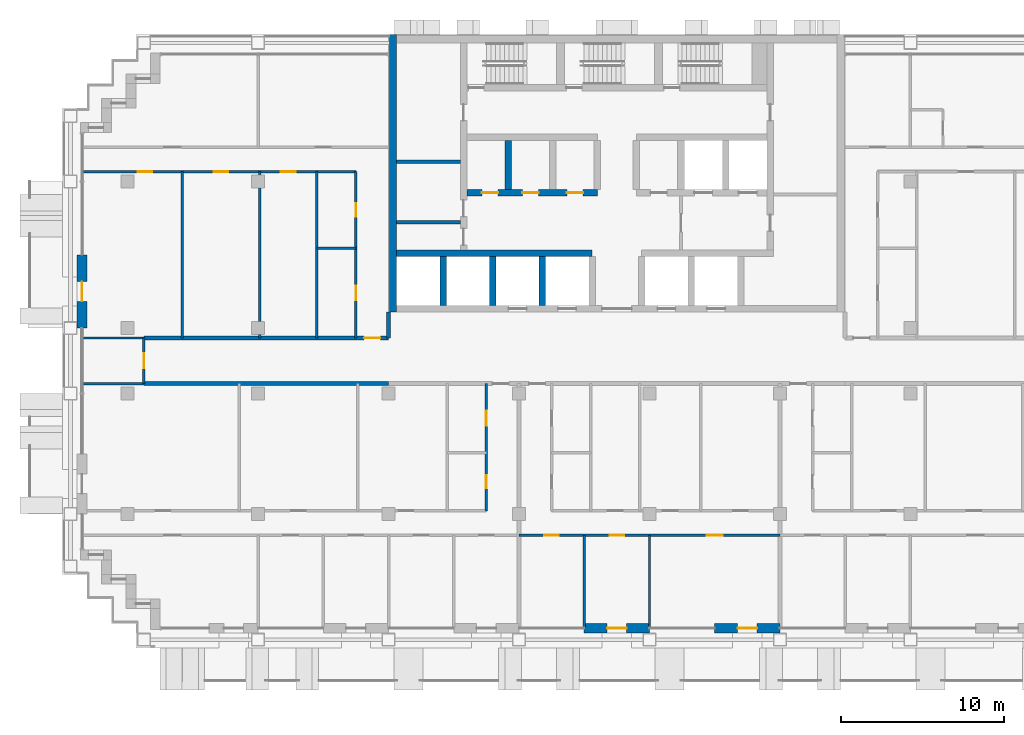
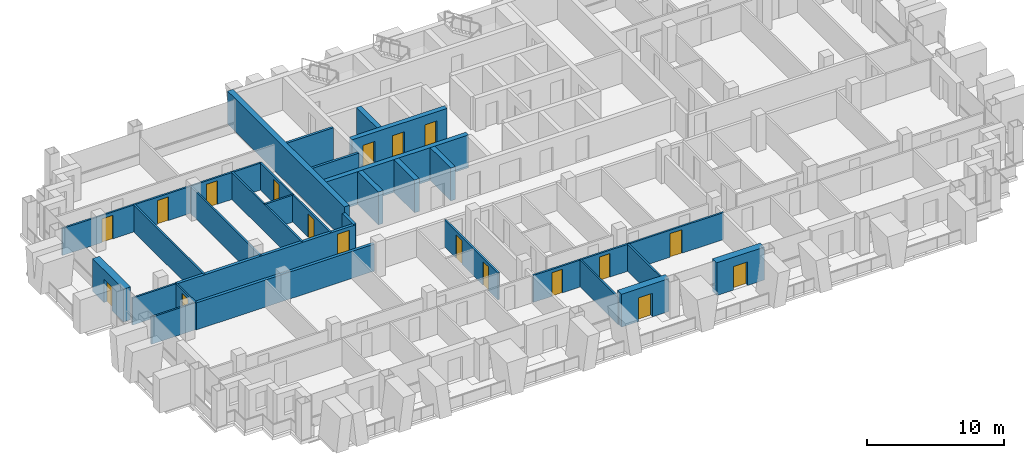
# One storey, part 8 of 16: 28 walls, 18 doors, 18 openings.
"""IFC4 building model written with IfcOpenShell, lengths in metres."""

from ifc_helpers import new_model, si_unit, direction, frame, frame_2d, origin, place, context, subcontext, project, spatial, rectangle, extrude, material, layer, layer_set, type_object, element, fill, save


model = new_model("IFC4")

# Units and contexts
model_context = context("Model", 3, precision=1e-05, world=origin(), true_north=direction((0.0, 1.0)))
body_context = subcontext(model_context, "Body", "Model", "MODEL_VIEW")
ifc_project = project(units=[si_unit("LENGTHUNIT", "METRE"), si_unit("AREAUNIT", "SQUARE_METRE"), si_unit("VOLUMEUNIT", "CUBIC_METRE"), si_unit("PLANEANGLEUNIT", "RADIAN"), si_unit("MASSUNIT", "GRAM", prefix="KILO")], contexts=[model_context])

# Site, building, storey
site_placement = place(None, origin())
site = spatial("IfcSite", under=ifc_project, at=site_placement, CompositionType="ELEMENT")
building_placement = place(site_placement, origin())
building = spatial("IfcBuilding", under=site, at=building_placement, Name="Vidyagriha Tower", CompositionType="ELEMENT")
storey_placement = place(building_placement, frame((0.0, 0.0, 135.800048828125)))
storey = spatial("IfcBuildingStorey", under=building, at=storey_placement, Name="L35", CompositionType="ELEMENT", Elevation=135.800048828125)

# Wall, opening, door
ifc_material_1 = material(Name="Precast concrete C40/50 with brick facing", Category="concrete")
ifc_layer_1 = layer(ifc_material_1, 0.60009765625)
ifc_layer_set_1 = layer_set([ifc_layer_1], Name="Precast concrete C40/50 with brick facing")
wall_type_1 = type_object("IfcWallType", Name="Brick-faced precast wall 600", PredefinedType="STANDARD", material=ifc_layer_set_1)
wall_1_placement = place(storey_placement, frame((-32.800048828125, 6.5, 0.0), z_axis=(0.0, 0.0, 1.0), x_axis=(0.0, -1.0, 0.0)))
wall_1 = element("IfcWall", 1, at=wall_1_placement, inside=storey, type_object=wall_type_1, Name="Brick door bay wall L35 R16.3", PredefinedType="STANDARD", context=body_context, shape_type="SweptSolid", body=[
    extrude(rectangle(XDim=4.5, YDim=0.60009765625, at=frame_2d((2.25, 0.0))), origin(), (0.0, 0.0, 1.0), 2.919921875),
])
opening_1_placement = place(wall_1_placement, frame((1.64990234375, 0.0, 0.0)))
opening_1 = element("IfcOpeningElement", 2, at=opening_1_placement, cuts=wall_1, Name="Opening D35-65", PredefinedType="OPENING", context=body_context, shape_type="SweptSolid", body=[
    extrude(rectangle(XDim=1.199951171875, YDim=2.10009765625, at=frame_2d((0.60009765625, 1.050048828125))), frame((0.0, 0.31005859375, 0.0), z_axis=(0.0, -1.0, 0.0), x_axis=(1.0, 0.0, 0.0)), (0.0, 0.0, 1.0), 0.6201171875),
])
ifc_material_2 = material(Name="Aluminium framed glazed sliding door", Category="aluminium")
door_type_1 = type_object("IfcDoorType", Name="Balcony sliding door 1200x2100", OperationType="NOTDEFINED", PredefinedType="DOOR", material=ifc_material_2)
door_1_placement = place(opening_1_placement, origin())
door_1 = element("IfcDoor", 3, at=door_1_placement, inside=storey, type_object=door_type_1, Name="Door D35-65", OperationType="SLIDING_TO_LEFT", OverallHeight=2.10009765625, OverallWidth=1.199951171875, PredefinedType="DOOR", context=body_context, shape_type="SweptSolid", body=[
    extrude(rectangle(XDim=1.199951171875, YDim=2.10009765625, at=frame_2d((0.60009765625, 1.050048828125))), frame((0.0, 0.02490234375, 0.0), z_axis=(0.0, -1.0, 0.0), x_axis=(1.0, 0.0, 0.0)), (0.0, 0.0, 1.0), 0.050048828125),
])
fill(opening_1, door_1)

wall_2_placement = place(storey_placement, frame((-2.0, -16.39990234375, 0.0)))
wall_2 = element("IfcWall", 4, at=wall_2_placement, inside=storey, type_object=wall_type_1, Name="Brick door bay wall L35 R23.8", PredefinedType="STANDARD", context=body_context, shape_type="SweptSolid", body=[
    extrude(rectangle(XDim=4.0, YDim=0.60009765625, at=frame_2d((2.0, 0.0))), origin(), (0.0, 0.0, 1.0), 2.919921875),
])
opening_2_placement = place(wall_2_placement, frame((1.39990234375, 0.0, 0.0)))
opening_2 = element("IfcOpeningElement", 5, at=opening_2_placement, cuts=wall_2, Name="Opening D35-70", PredefinedType="OPENING", context=body_context, shape_type="SweptSolid", body=[
    extrude(rectangle(XDim=1.199951171875, YDim=2.10009765625, at=frame_2d((0.60009765625, 1.050048828125))), frame((0.0, 0.31005859375, 0.0), z_axis=(0.0, -1.0, 0.0), x_axis=(1.0, 0.0, 0.0)), (0.0, 0.0, 1.0), 0.6201171875),
])
door_2_placement = place(opening_2_placement, origin())
door_2 = element("IfcDoor", 6, at=door_2_placement, inside=storey, type_object=door_type_1, Name="Door D35-70", OperationType="SLIDING_TO_LEFT", OverallHeight=2.10009765625, OverallWidth=1.199951171875, PredefinedType="DOOR", context=body_context, shape_type="SweptSolid", body=[
    extrude(rectangle(XDim=1.199951171875, YDim=2.10009765625, at=frame_2d((0.60009765625, 1.050048828125))), frame((0.0, 0.02490234375, 0.0), z_axis=(0.0, -1.0, 0.0), x_axis=(1.0, 0.0, 0.0)), (0.0, 0.0, 1.0), 0.050048828125),
])
fill(opening_2, door_2)

wall_3_placement = place(storey_placement, frame((6.0, -16.39990234375, 0.0)))
wall_3 = element("IfcWall", 7, at=wall_3_placement, inside=storey, type_object=wall_type_1, Name="Brick door bay wall L35 R23.10", PredefinedType="STANDARD", context=body_context, shape_type="SweptSolid", body=[
    extrude(rectangle(XDim=4.0, YDim=0.60009765625, at=frame_2d((2.0, 0.0))), origin(), (0.0, 0.0, 1.0), 2.919921875),
])
opening_3_placement = place(wall_3_placement, frame((1.39990234375, 0.0, 0.0)))
opening_3 = element("IfcOpeningElement", 8, at=opening_3_placement, cuts=wall_3, Name="Opening D35-71", PredefinedType="OPENING", context=body_context, shape_type="SweptSolid", body=[
    extrude(rectangle(XDim=1.199951171875, YDim=2.10009765625, at=frame_2d((0.60009765625, 1.050048828125))), frame((0.0, 0.31005859375, 0.0), z_axis=(0.0, -1.0, 0.0), x_axis=(1.0, 0.0, 0.0)), (0.0, 0.0, 1.0), 0.6201171875),
])
door_3_placement = place(opening_3_placement, origin())
door_3 = element("IfcDoor", 9, at=door_3_placement, inside=storey, type_object=door_type_1, Name="Door D35-71", OperationType="SLIDING_TO_LEFT", OverallHeight=2.10009765625, OverallWidth=1.199951171875, PredefinedType="DOOR", context=body_context, shape_type="SweptSolid", body=[
    extrude(rectangle(XDim=1.199951171875, YDim=2.10009765625, at=frame_2d((0.60009765625, 1.050048828125))), frame((0.0, 0.02490234375, 0.0), z_axis=(0.0, -1.0, 0.0), x_axis=(1.0, 0.0, 0.0)), (0.0, 0.0, 1.0), 0.050048828125),
])
fill(opening_3, door_3)

# Walls
ifc_material_3 = material(Name="Concrete C60/75", Category="concrete")
ifc_layer_2 = layer(ifc_material_3, 0.39990234375)
ifc_layer_set_2 = layer_set([ifc_layer_2], Name="Concrete C60/75")
wall_type_2 = type_object("IfcWallType", Name="Core shear wall 400 mm", PredefinedType="SHEAR", material=ifc_layer_set_2)
wall_4_placement = place(storey_placement, frame((-13.5, 6.60009765625, 0.0)))
element("IfcWall", 10, at=wall_4_placement, inside=storey, type_object=wall_type_2, Name="Core lobby south wall west", PredefinedType="SHEAR", context=body_context, shape_type="SweptSolid", body=[
    extrude(rectangle(XDim=11.977783203125, YDim=0.39990234375, at=frame_2d((5.98876953125, 0.0))), origin(), (0.0, 0.0, 1.0), 2.919921875),
])
for number, where, z_axis, x_axis, name in (
    (11, (-10.655517578125, 3.39990234375, 0.0), (0.0, 0.0, 1.0), (0.0, 1.0, 0.0), "Core bay wall S1"),
    (12, (-7.611083984375, 3.39990234375, 0.0), (0.0, 0.0, 1.0), (0.0, 1.0, 0.0), "Core bay wall S2"),
    (13, (-4.566650390625, 3.39990234375, 0.0), (0.0, 0.0, 1.0), (0.0, 1.0, 0.0), "Core bay wall S3"),
):
    element("IfcWall", number, at=place(storey_placement, frame(where, z_axis=z_axis, x_axis=x_axis)), inside=storey, type_object=wall_type_2, Name=name, PredefinedType="SHEAR", context=body_context, shape_type="SweptSolid", body=[
        extrude(rectangle(XDim=3.0, YDim=0.39990234375, at=frame_2d((1.5, 0.0))), origin(), (0.0, 0.0, 1.0), 2.919921875),
    ])

# Wall, openings, doors
wall_5_placement = place(storey_placement, frame((-9.199951171875, 10.300048828125, 0.0)))
wall_5 = element("IfcWall", 14, at=wall_5_placement, inside=storey, type_object=wall_type_2, Name="Core row N front wall", PredefinedType="SHEAR", context=body_context, shape_type="SweptSolid", body=[
    extrude(rectangle(XDim=8.0, YDim=0.39990234375, at=frame_2d((4.0, 0.0))), origin(), (0.0, 0.0, 1.0), 2.919921875),
])
opening_4_placement = place(wall_5_placement, frame((0.916748046875, 0.0, 0.0)))
opening_4 = element("IfcOpeningElement", 15, at=opening_4_placement, cuts=wall_5, Name="Opening D35-02", PredefinedType="OPENING", context=body_context, shape_type="SweptSolid", body=[
    extrude(rectangle(XDim=1.0, YDim=2.10009765625, at=frame_2d((0.5, 1.050048828125))), frame((0.0, 0.2099609375, 0.0), z_axis=(0.0, -1.0, 0.0), x_axis=(1.0, 0.0, 0.0)), (0.0, 0.0, 1.0), 0.419921875),
])
opening_5_placement = place(wall_5_placement, frame((3.39990234375, 0.0, 0.0)))
opening_5 = element("IfcOpeningElement", 16, at=opening_5_placement, cuts=wall_5, Name="Opening D35-03", PredefinedType="OPENING", context=body_context, shape_type="SweptSolid", body=[
    extrude(rectangle(XDim=1.0, YDim=2.10009765625, at=frame_2d((0.5, 1.050048828125))), frame((0.0, 0.2099609375, 0.0), z_axis=(0.0, -1.0, 0.0), x_axis=(1.0, 0.0, 0.0)), (0.0, 0.0, 1.0), 0.419921875),
])
opening_6_placement = place(wall_5_placement, frame((6.13330078125, 0.0, 0.0)))
opening_6 = element("IfcOpeningElement", 17, at=opening_6_placement, cuts=wall_5, Name="Opening D35-04", PredefinedType="OPENING", context=body_context, shape_type="SweptSolid", body=[
    extrude(rectangle(XDim=1.0, YDim=2.10009765625, at=frame_2d((0.5, 1.050048828125))), frame((0.0, 0.2099609375, 0.0), z_axis=(0.0, -1.0, 0.0), x_axis=(1.0, 0.0, 0.0)), (0.0, 0.0, 1.0), 0.419921875),
])
ifc_material_4 = material(Name="Hollow metal door leaf")
door_type_2 = type_object("IfcDoorType", Name="Core room door 1000 x 2100 mm EI 60", OperationType="NOTDEFINED", PredefinedType="DOOR", material=ifc_material_4)
door_4_placement = place(opening_4_placement, frame((1.0, 0.0, 0.0), z_axis=(0.0, 0.0, 1.0), x_axis=(-1.0, 0.0, 0.0)))
door_4 = element("IfcDoor", 18, at=door_4_placement, inside=storey, type_object=door_type_2, Name="Door Switchgear Room 35.14", OperationType="SINGLE_SWING_RIGHT", OverallHeight=2.10009765625, OverallWidth=1.0, PredefinedType="DOOR", context=body_context, shape_type="SweptSolid", body=[
    extrude(rectangle(XDim=1.0, YDim=2.10009765625, at=frame_2d((0.5, 1.050048828125))), frame((0.0, 0.02490234375, 0.0), z_axis=(0.0, -1.0, 0.0), x_axis=(1.0, 0.0, 0.0)), (0.0, 0.0, 1.0), 0.050048828125),
])
fill(opening_4, door_4)
door_5_placement = place(opening_5_placement, frame((1.0, 0.0, 0.0), z_axis=(0.0, 0.0, 1.0), x_axis=(-1.0, 0.0, 0.0)))
door_5 = element("IfcDoor", 19, at=door_5_placement, inside=storey, type_object=door_type_2, Name="Door Electrical Room 35.15", OperationType="SINGLE_SWING_RIGHT", OverallHeight=2.10009765625, OverallWidth=1.0, PredefinedType="DOOR", context=body_context, shape_type="SweptSolid", body=[
    extrude(rectangle(XDim=1.0, YDim=2.10009765625, at=frame_2d((0.5, 1.050048828125))), frame((0.0, 0.02490234375, 0.0), z_axis=(0.0, -1.0, 0.0), x_axis=(1.0, 0.0, 0.0)), (0.0, 0.0, 1.0), 0.050048828125),
])
fill(opening_5, door_5)
door_6_placement = place(opening_6_placement, frame((1.0, 0.0, 0.0), z_axis=(0.0, 0.0, 1.0), x_axis=(-1.0, 0.0, 0.0)))
door_6 = element("IfcDoor", 20, at=door_6_placement, inside=storey, type_object=door_type_2, Name="Door Cleaners Store 35.16", OperationType="SINGLE_SWING_LEFT", OverallHeight=2.10009765625, OverallWidth=1.0, PredefinedType="DOOR", context=body_context, shape_type="SweptSolid", body=[
    extrude(rectangle(XDim=1.0, YDim=2.10009765625, at=frame_2d((0.5, 1.050048828125))), frame((0.0, 0.02490234375, 0.0), z_axis=(0.0, -1.0, 0.0), x_axis=(1.0, 0.0, 0.0)), (0.0, 0.0, 1.0), 0.050048828125),
])
fill(opening_6, door_6)

# Walls
wall_6_placement = place(storey_placement, frame((-6.666748046875, 10.5, 0.0), z_axis=(0.0, 0.0, 1.0), x_axis=(0.0, 1.0, 0.0)))
element("IfcWall", 21, at=wall_6_placement, inside=storey, type_object=wall_type_2, Name="Core bay wall N1", PredefinedType="SHEAR", context=body_context, shape_type="SweptSolid", body=[
    extrude(rectangle(XDim=3.0, YDim=0.39990234375, at=frame_2d((1.5, 0.0))), origin(), (0.0, 0.0, 1.0), 2.919921875),
])
ifc_material_5 = material(Name="Concrete C60/75", Category="concrete")
ifc_layer_3 = layer(ifc_material_5, 0.449951171875)
ifc_layer_set_3 = layer_set([ifc_layer_3], Name="Concrete C60/75")
wall_type_3 = type_object("IfcWallType", Name="Core shear wall 450 mm", PredefinedType="SHEAR", material=ifc_layer_set_3)
wall_7_placement = place(storey_placement, frame((-13.72509765625, 3.0, 0.0), z_axis=(0.0, 0.0, 1.0), x_axis=(0.0, 1.0, 0.0)))
element("IfcWall", 22, at=wall_7_placement, inside=storey, type_object=wall_type_3, Name="Core west wall", PredefinedType="SHEAR", context=body_context, shape_type="SweptSolid", body=[
    extrude(rectangle(XDim=17.0, YDim=0.449951171875, at=frame_2d((8.5, 0.0))), origin(), (0.0, 0.0, 1.0), 2.919921875),
])
ifc_material_6 = material(Name="Fired clay brick masonry", Category="masonry")
ifc_layer_4 = layer(ifc_material_6, 0.25)
ifc_layer_set_4 = layer_set([ifc_layer_4], Name="Fired clay brick masonry")
wall_type_4 = type_object("IfcWallType", Name="Fired clay brick corridor wall 250", PredefinedType="PARTITIONING", material=ifc_layer_set_4)
wall_8_placement = place(storey_placement, frame((-14.0, -1.39990234375, 0.0), z_axis=(0.0, 0.0, 1.0), x_axis=(-1.0, 0.0, 0.0)))
element("IfcWall", 23, at=wall_8_placement, inside=storey, type_object=wall_type_4, Name="Wall all-L35-w063", PredefinedType="PARTITIONING", context=body_context, shape_type="SweptSolid", body=[
    extrude(rectangle(XDim=15.0, YDim=0.25, at=frame_2d((7.5, 0.0))), origin(), (0.0, 0.0, 1.0), 2.39990234375),
])

# Wall, opening, door
wall_9_placement = place(storey_placement, frame((-29.0, 1.39990234375, 0.0)))
wall_9 = element("IfcWall", 24, at=wall_9_placement, inside=storey, type_object=wall_type_4, Name="Wall all-L35-w083", PredefinedType="PARTITIONING", context=body_context, shape_type="SweptSolid", body=[
    extrude(rectangle(XDim=15.0, YDim=0.25, at=frame_2d((7.5, 0.0))), origin(), (0.0, 0.0, 1.0), 2.39990234375),
])
opening_7_placement = place(wall_9_placement, frame((13.5, 0.0, 0.0)))
opening_7 = element("IfcOpeningElement", 25, at=opening_7_placement, cuts=wall_9, Name="Opening D35-52", PredefinedType="OPENING", context=body_context, shape_type="SweptSolid", body=[
    extrude(rectangle(XDim=1.0, YDim=2.10009765625, at=frame_2d((0.5, 1.050048828125))), frame((0.0, 0.135009765625, 0.0), z_axis=(0.0, -1.0, 0.0), x_axis=(1.0, 0.0, 0.0)), (0.0, 0.0, 1.0), 0.27001953125),
])
ifc_material_7 = material(Name="Fire-rated timber door leaf EI 60", Category="wood")
door_type_3 = type_object("IfcDoorType", Name="Flat entrance fire door 1000x2100", OperationType="NOTDEFINED", PredefinedType="DOOR", material=ifc_material_7)
door_7_placement = place(opening_7_placement, origin())
door_7 = element("IfcDoor", 26, at=door_7_placement, inside=storey, type_object=door_type_3, Name="Door D35-52", OperationType="SINGLE_SWING_RIGHT", OverallHeight=2.10009765625, OverallWidth=1.0, PredefinedType="DOOR", context=body_context, shape_type="SweptSolid", body=[
    extrude(rectangle(XDim=1.0, YDim=2.10009765625, at=frame_2d((0.5, 1.050048828125))), frame((0.0, 0.02490234375, 0.0), z_axis=(0.0, -1.0, 0.0), x_axis=(1.0, 0.0, 0.0)), (0.0, 0.0, 1.0), 0.050048828125),
])
fill(opening_7, door_7)

# Wall
wall_10_placement = place(storey_placement, frame((-14.0, 3.0, 0.0), z_axis=(0.0, 0.0, 1.0), x_axis=(0.0, -1.0, 0.0)))
element("IfcWall", 27, at=wall_10_placement, inside=storey, type_object=wall_type_4, Name="Wall all-L35-w113", PredefinedType="PARTITIONING", context=body_context, shape_type="SweptSolid", body=[
    extrude(rectangle(XDim=1.60009765625, YDim=0.25, at=frame_2d((0.800048828125, 0.0))), origin(), (0.0, 0.0, 1.0), 2.39990234375),
])

# Wall, openings, doors
ifc_material_8 = material(Name="Gypsum board partition")
ifc_layer_5 = layer(ifc_material_8, 0.14990234375)
ifc_layer_set_5 = layer_set([ifc_layer_5], Name="Gypsum board partition")
wall_type_5 = type_object("IfcWallType", Name="Gypsum board partition 150", PredefinedType="PARTITIONING", material=ifc_layer_set_5)
wall_11_placement = place(storey_placement, frame((10.0, -10.699951171875, 0.0), z_axis=(0.0, 0.0, 1.0), x_axis=(-1.0, 0.0, 0.0)))
wall_11 = element("IfcWall", 28, at=wall_11_placement, inside=storey, type_object=wall_type_5, Name="Wall all-L35-w034", PredefinedType="PARTITIONING", context=body_context, shape_type="SweptSolid", body=[
    extrude(rectangle(XDim=16.0, YDim=0.14990234375, at=frame_2d((8.0, 0.0))), origin(), (0.0, 0.0, 1.0), 2.39990234375),
])
opening_8_placement = place(wall_11_placement, frame((13.550048828125, 0.0, 0.0)))
opening_8 = element("IfcOpeningElement", 29, at=opening_8_placement, cuts=wall_11, Name="Opening D35-31", PredefinedType="OPENING", context=body_context, shape_type="SweptSolid", body=[
    extrude(rectangle(XDim=0.89990234375, YDim=2.10009765625, at=frame_2d((0.449951171875, 1.050048828125))), frame((0.0, 0.0849609375, 0.0), z_axis=(0.0, -1.0, 0.0), x_axis=(1.0, 0.0, 0.0)), (0.0, 0.0, 1.0), 0.169921875),
])
opening_9_placement = place(wall_11_placement, frame((9.550048828125, 0.0, 0.0)))
opening_9 = element("IfcOpeningElement", 30, at=opening_9_placement, cuts=wall_11, Name="Opening D35-32", PredefinedType="OPENING", context=body_context, shape_type="SweptSolid", body=[
    extrude(rectangle(XDim=0.89990234375, YDim=2.10009765625, at=frame_2d((0.449951171875, 1.050048828125))), frame((0.0, 0.0849609375, 0.0), z_axis=(0.0, -1.0, 0.0), x_axis=(1.0, 0.0, 0.0)), (0.0, 0.0, 1.0), 0.169921875),
])
opening_10_placement = place(wall_11_placement, frame((3.5, 0.0, 0.0)))
opening_10 = element("IfcOpeningElement", 31, at=opening_10_placement, cuts=wall_11, Name="Opening D35-33", PredefinedType="OPENING", context=body_context, shape_type="SweptSolid", body=[
    extrude(rectangle(XDim=1.0, YDim=2.10009765625, at=frame_2d((0.5, 1.050048828125))), frame((0.0, 0.0849609375, 0.0), z_axis=(0.0, -1.0, 0.0), x_axis=(1.0, 0.0, 0.0)), (0.0, 0.0, 1.0), 0.169921875),
])
ifc_material_9 = material(Name="Timber door leaf", Category="wood")
door_type_4 = type_object("IfcDoorType", Name="Room door 1000x2100", OperationType="NOTDEFINED", PredefinedType="DOOR", material=ifc_material_9)
door_8_placement = place(opening_10_placement, origin())
door_8 = element("IfcDoor", 32, at=door_8_placement, inside=storey, type_object=door_type_4, Name="Door D35-33", OperationType="SINGLE_SWING_RIGHT", OverallHeight=2.10009765625, OverallWidth=1.0, PredefinedType="DOOR", context=body_context, shape_type="SweptSolid", body=[
    extrude(rectangle(XDim=1.0, YDim=2.10009765625, at=frame_2d((0.5, 1.050048828125))), frame((0.0, 0.02490234375, 0.0), z_axis=(0.0, -1.0, 0.0), x_axis=(1.0, 0.0, 0.0)), (0.0, 0.0, 1.0), 0.050048828125),
])
fill(opening_10, door_8)
ifc_material_10 = material(Name="Timber door leaf", Category="wood")
door_type_5 = type_object("IfcDoorType", Name="Room door 900x2100", OperationType="NOTDEFINED", PredefinedType="DOOR", material=ifc_material_10)
door_9_placement = place(opening_8_placement, origin())
door_9 = element("IfcDoor", 33, at=door_9_placement, inside=storey, type_object=door_type_5, Name="Door D35-31", OperationType="SINGLE_SWING_RIGHT", OverallHeight=2.10009765625, OverallWidth=0.89990234375, PredefinedType="DOOR", context=body_context, shape_type="SweptSolid", body=[
    extrude(rectangle(XDim=0.89990234375, YDim=2.10009765625, at=frame_2d((0.449951171875, 1.050048828125))), frame((0.0, 0.02490234375, 0.0), z_axis=(0.0, -1.0, 0.0), x_axis=(1.0, 0.0, 0.0)), (0.0, 0.0, 1.0), 0.050048828125),
])
fill(opening_8, door_9)
door_10_placement = place(opening_9_placement, origin())
door_10 = element("IfcDoor", 34, at=door_10_placement, inside=storey, type_object=door_type_5, Name="Door D35-32", OperationType="SINGLE_SWING_RIGHT", OverallHeight=2.10009765625, OverallWidth=0.89990234375, PredefinedType="DOOR", context=body_context, shape_type="SweptSolid", body=[
    extrude(rectangle(XDim=0.89990234375, YDim=2.10009765625, at=frame_2d((0.449951171875, 1.050048828125))), frame((0.0, 0.02490234375, 0.0), z_axis=(0.0, -1.0, 0.0), x_axis=(1.0, 0.0, 0.0)), (0.0, 0.0, 1.0), 0.050048828125),
])
fill(opening_9, door_10)

# Walls
wall_12_placement = place(storey_placement, frame((-2.0, -10.699951171875, 0.0), z_axis=(0.0, 0.0, 1.0), x_axis=(0.0, -1.0, 0.0)))
element("IfcWall", 35, at=wall_12_placement, inside=storey, type_object=wall_type_5, Name="Wall all-L35-w038", PredefinedType="PARTITIONING", context=body_context, shape_type="SweptSolid", body=[
    extrude(rectangle(XDim=5.62109375, YDim=0.14990234375, at=frame_2d((2.810546875, 0.0))), origin(), (0.0, 0.0, 1.0), 2.39990234375),
])
wall_13_placement = place(storey_placement, frame((2.0, -10.699951171875, 0.0), z_axis=(0.0, 0.0, 1.0), x_axis=(0.0, -1.0, 0.0)))
element("IfcWall", 36, at=wall_13_placement, inside=storey, type_object=wall_type_5, Name="Wall all-L35-w039", PredefinedType="PARTITIONING", context=body_context, shape_type="SweptSolid", body=[
    extrude(rectangle(XDim=5.610107421875, YDim=0.14990234375, at=frame_2d((2.80517578125, 0.0))), origin(), (0.0, 0.0, 1.0), 2.39990234375),
])
wall_14_placement = place(storey_placement, frame((-29.0, -1.39990234375, 0.0), z_axis=(0.0, 0.0, 1.0), x_axis=(-1.0, 0.0, 0.0)))
element("IfcWall", 37, at=wall_14_placement, inside=storey, type_object=wall_type_5, Name="Wall all-L35-w064", PredefinedType="PARTITIONING", context=body_context, shape_type="SweptSolid", body=[
    extrude(rectangle(XDim=3.719970703125, YDim=0.14990234375, at=frame_2d((1.85986328125, 0.0))), origin(), (0.0, 0.0, 1.0), 2.39990234375),
])
wall_15_placement = place(storey_placement, frame((-18.39990234375, 6.89990234375, 0.0)))
element("IfcWall", 38, at=wall_15_placement, inside=storey, type_object=wall_type_5, Name="Wall all-L35-w070", PredefinedType="PARTITIONING", context=body_context, shape_type="SweptSolid", body=[
    extrude(rectangle(XDim=2.39990234375, YDim=0.14990234375, at=frame_2d((1.199951171875, 0.0))), origin(), (0.0, 0.0, 1.0), 2.39990234375),
])
for number, where, z_axis, x_axis, name in (
    (39, (-18.39990234375, 1.39990234375, 0.0), (0.0, 0.0, 1.0), (0.0, 1.0, 0.0), "Wall all-L35-w071"),
    (40, (-21.89990234375, 1.39990234375, 0.0), (0.0, 0.0, 1.0), (0.0, 1.0, 0.0), "Wall all-L35-w072"),
    (41, (-26.64990234375, 1.39990234375, 0.0), (0.0, 0.0, 1.0), (0.0, 1.0, 0.0), "Wall all-L35-w073"),
):
    element("IfcWall", number, at=place(storey_placement, frame(where, z_axis=z_axis, x_axis=x_axis)), inside=storey, type_object=wall_type_5, Name=name, PredefinedType="PARTITIONING", context=body_context, shape_type="SweptSolid", body=[
        extrude(rectangle(XDim=10.2001953125, YDim=0.14990234375, at=frame_2d((5.10009765625, 0.0))), origin(), (0.0, 0.0, 1.0), 2.39990234375),
    ])

# Wall, openings, doors
wall_16_placement = place(storey_placement, frame((-16.0, 11.60009765625, 0.0), z_axis=(0.0, 0.0, 1.0), x_axis=(-1.0, 0.0, 0.0)))
wall_16 = element("IfcWall", 42, at=wall_16_placement, inside=storey, type_object=wall_type_5, Name="Wall all-L35-w074", PredefinedType="PARTITIONING", context=body_context, shape_type="SweptSolid", body=[
    extrude(rectangle(XDim=16.719970703125, YDim=0.14990234375, at=frame_2d((8.35986328125, 0.0))), origin(), (0.0, 0.0, 1.0), 2.39990234375),
])
opening_11_placement = place(wall_16_placement, frame((3.699951171875, 0.0, 0.0)))
opening_11 = element("IfcOpeningElement", 43, at=opening_11_placement, cuts=wall_16, Name="Opening D35-47", PredefinedType="OPENING", context=body_context, shape_type="SweptSolid", body=[
    extrude(rectangle(XDim=0.89990234375, YDim=2.10009765625, at=frame_2d((0.449951171875, 1.050048828125))), frame((0.0, 0.0849609375, 0.0), z_axis=(0.0, -1.0, 0.0), x_axis=(1.0, 0.0, 0.0)), (0.0, 0.0, 1.0), 0.169921875),
])
opening_12_placement = place(wall_16_placement, frame((7.824951171875, 0.0, 0.0)))
opening_12 = element("IfcOpeningElement", 44, at=opening_12_placement, cuts=wall_16, Name="Opening D35-48", PredefinedType="OPENING", context=body_context, shape_type="SweptSolid", body=[
    extrude(rectangle(XDim=0.89990234375, YDim=2.10009765625, at=frame_2d((0.449951171875, 1.050048828125))), frame((0.0, 0.0849609375, 0.0), z_axis=(0.0, -1.0, 0.0), x_axis=(1.0, 0.0, 0.0)), (0.0, 0.0, 1.0), 0.169921875),
])
opening_13_placement = place(wall_16_placement, frame((12.48193359375, 0.0, 0.0)))
opening_13 = element("IfcOpeningElement", 45, at=opening_13_placement, cuts=wall_16, Name="Opening D35-49", PredefinedType="OPENING", context=body_context, shape_type="SweptSolid", body=[
    extrude(rectangle(XDim=0.89990234375, YDim=2.10009765625, at=frame_2d((0.449951171875, 1.050048828125))), frame((0.0, 0.0849609375, 0.0), z_axis=(0.0, -1.0, 0.0), x_axis=(1.0, 0.0, 0.0)), (0.0, 0.0, 1.0), 0.169921875),
])
door_11_placement = place(opening_11_placement, origin())
door_11 = element("IfcDoor", 46, at=door_11_placement, inside=storey, type_object=door_type_5, Name="Door D35-47", OperationType="SINGLE_SWING_RIGHT", OverallHeight=2.10009765625, OverallWidth=0.89990234375, PredefinedType="DOOR", context=body_context, shape_type="SweptSolid", body=[
    extrude(rectangle(XDim=0.89990234375, YDim=2.10009765625, at=frame_2d((0.449951171875, 1.050048828125))), frame((0.0, 0.02490234375, 0.0), z_axis=(0.0, -1.0, 0.0), x_axis=(1.0, 0.0, 0.0)), (0.0, 0.0, 1.0), 0.050048828125),
])
fill(opening_11, door_11)
door_12_placement = place(opening_12_placement, origin())
door_12 = element("IfcDoor", 47, at=door_12_placement, inside=storey, type_object=door_type_5, Name="Door D35-48", OperationType="SINGLE_SWING_RIGHT", OverallHeight=2.10009765625, OverallWidth=0.89990234375, PredefinedType="DOOR", context=body_context, shape_type="SweptSolid", body=[
    extrude(rectangle(XDim=0.89990234375, YDim=2.10009765625, at=frame_2d((0.449951171875, 1.050048828125))), frame((0.0, 0.02490234375, 0.0), z_axis=(0.0, -1.0, 0.0), x_axis=(1.0, 0.0, 0.0)), (0.0, 0.0, 1.0), 0.050048828125),
])
fill(opening_12, door_12)
door_13_placement = place(opening_13_placement, origin())
door_13 = element("IfcDoor", 48, at=door_13_placement, inside=storey, type_object=door_type_5, Name="Door D35-49", OperationType="SINGLE_SWING_LEFT", OverallHeight=2.10009765625, OverallWidth=0.89990234375, PredefinedType="DOOR", context=body_context, shape_type="SweptSolid", body=[
    extrude(rectangle(XDim=0.89990234375, YDim=2.10009765625, at=frame_2d((0.449951171875, 1.050048828125))), frame((0.0, 0.02490234375, 0.0), z_axis=(0.0, -1.0, 0.0), x_axis=(1.0, 0.0, 0.0)), (0.0, 0.0, 1.0), 0.050048828125),
])
fill(opening_13, door_13)

# Wall
wall_17_placement = place(storey_placement, frame((-32.719970703125, 1.39990234375, 0.0)))
element("IfcWall", 49, at=wall_17_placement, inside=storey, type_object=wall_type_5, Name="Wall all-L35-w084", PredefinedType="PARTITIONING", context=body_context, shape_type="SweptSolid", body=[
    extrude(rectangle(XDim=3.719970703125, YDim=0.14990234375, at=frame_2d((1.85986328125, 0.0))), origin(), (0.0, 0.0, 1.0), 2.39990234375),
])

# Wall, opening, door
wall_18_placement = place(storey_placement, frame((-29.0, 1.39990234375, 0.0), z_axis=(0.0, 0.0, 1.0), x_axis=(0.0, -1.0, 0.0)))
wall_18 = element("IfcWall", 50, at=wall_18_placement, inside=storey, type_object=wall_type_5, Name="Wall all-L35-w108", PredefinedType="PARTITIONING", context=body_context, shape_type="SweptSolid", body=[
    extrude(rectangle(XDim=2.7998046875, YDim=0.14990234375, at=frame_2d((1.39990234375, 0.0))), origin(), (0.0, 0.0, 1.0), 2.39990234375),
])
opening_14_placement = place(wall_18_placement, frame((0.949951171875, 0.0, 0.0)))
opening_14 = element("IfcOpeningElement", 51, at=opening_14_placement, cuts=wall_18, Name="Opening D35-63", PredefinedType="OPENING", context=body_context, shape_type="SweptSolid", body=[
    extrude(rectangle(XDim=0.89990234375, YDim=2.10009765625, at=frame_2d((0.449951171875, 1.050048828125))), frame((0.0, 0.0849609375, 0.0), z_axis=(0.0, -1.0, 0.0), x_axis=(1.0, 0.0, 0.0)), (0.0, 0.0, 1.0), 0.169921875),
])
door_14_placement = place(opening_14_placement, origin())
door_14 = element("IfcDoor", 52, at=door_14_placement, inside=storey, type_object=door_type_5, Name="Door D35-63", OperationType="SINGLE_SWING_RIGHT", OverallHeight=2.10009765625, OverallWidth=0.89990234375, PredefinedType="DOOR", context=body_context, shape_type="SweptSolid", body=[
    extrude(rectangle(XDim=0.89990234375, YDim=2.10009765625, at=frame_2d((0.449951171875, 1.050048828125))), frame((0.0, 0.02490234375, 0.0), z_axis=(0.0, -1.0, 0.0), x_axis=(1.0, 0.0, 0.0)), (0.0, 0.0, 1.0), 0.050048828125),
])
fill(opening_14, door_14)

# Wall, openings, doors
ifc_material_11 = material(Name="Moisture resistant gypsum board partition")
ifc_layer_6 = layer(ifc_material_11, 0.14990234375)
ifc_layer_set_6 = layer_set([ifc_layer_6], Name="Moisture resistant gypsum board partition")
wall_type_6 = type_object("IfcWallType", Name="Gypsum board wet-area partition 150", PredefinedType="PARTITIONING", material=ifc_layer_set_6)
wall_19_placement = place(storey_placement, frame((-8.0, -9.199951171875, 0.0), z_axis=(0.0, 0.0, 1.0), x_axis=(0.0, 1.0, 0.0)))
wall_19 = element("IfcWall", 53, at=wall_19_placement, inside=storey, type_object=wall_type_6, Name="Wall all-L35-w001", PredefinedType="PARTITIONING", context=body_context, shape_type="SweptSolid", body=[
    extrude(rectangle(XDim=7.800048828125, YDim=0.14990234375, at=frame_2d((3.89990234375, 0.0))), origin(), (0.0, 0.0, 1.0), 2.39990234375),
])
opening_15_placement = place(wall_19_placement, frame((5.22509765625, 0.0, 0.0)))
opening_15 = element("IfcOpeningElement", 54, at=opening_15_placement, cuts=wall_19, Name="Opening D35-15", PredefinedType="OPENING", context=body_context, shape_type="SweptSolid", body=[
    extrude(rectangle(XDim=0.89990234375, YDim=2.10009765625, at=frame_2d((0.449951171875, 1.050048828125))), frame((0.0, 0.0849609375, 0.0), z_axis=(0.0, -1.0, 0.0), x_axis=(1.0, 0.0, 0.0)), (0.0, 0.0, 1.0), 0.169921875),
])
opening_16_placement = place(wall_19_placement, frame((1.375, 0.0, 0.0)))
opening_16 = element("IfcOpeningElement", 55, at=opening_16_placement, cuts=wall_19, Name="Opening D35-16", PredefinedType="OPENING", context=body_context, shape_type="SweptSolid", body=[
    extrude(rectangle(XDim=0.800048828125, YDim=2.10009765625, at=frame_2d((0.39990234375, 1.050048828125))), frame((0.0, 0.0849609375, 0.0), z_axis=(0.0, -1.0, 0.0), x_axis=(1.0, 0.0, 0.0)), (0.0, 0.0, 1.0), 0.169921875),
])
ifc_material_12 = material(Name="Timber door leaf", Category="wood")
door_type_6 = type_object("IfcDoorType", Name="Bathroom door 800x2100", OperationType="NOTDEFINED", PredefinedType="DOOR", material=ifc_material_12)
door_15_placement = place(opening_16_placement, origin())
door_15 = element("IfcDoor", 56, at=door_15_placement, inside=storey, type_object=door_type_6, Name="Door D35-16", OperationType="SINGLE_SWING_RIGHT", OverallHeight=2.10009765625, OverallWidth=0.800048828125, PredefinedType="DOOR", context=body_context, shape_type="SweptSolid", body=[
    extrude(rectangle(XDim=0.800048828125, YDim=2.10009765625, at=frame_2d((0.39990234375, 1.050048828125))), frame((0.0, 0.02490234375, 0.0), z_axis=(0.0, -1.0, 0.0), x_axis=(1.0, 0.0, 0.0)), (0.0, 0.0, 1.0), 0.050048828125),
])
fill(opening_16, door_15)
ifc_material_13 = material(Name="Timber door leaf", Category="wood")
door_type_7 = type_object("IfcDoorType", Name="Kitchen door 900x2100", OperationType="NOTDEFINED", PredefinedType="DOOR", material=ifc_material_13)
door_16_placement = place(opening_15_placement, origin())
door_16 = element("IfcDoor", 57, at=door_16_placement, inside=storey, type_object=door_type_7, Name="Door D35-15", OperationType="SINGLE_SWING_LEFT", OverallHeight=2.10009765625, OverallWidth=0.89990234375, PredefinedType="DOOR", context=body_context, shape_type="SweptSolid", body=[
    extrude(rectangle(XDim=0.89990234375, YDim=2.10009765625, at=frame_2d((0.449951171875, 1.050048828125))), frame((0.0, 0.02490234375, 0.0), z_axis=(0.0, -1.0, 0.0), x_axis=(1.0, 0.0, 0.0)), (0.0, 0.0, 1.0), 0.050048828125),
])
fill(opening_15, door_16)

wall_20_placement = place(storey_placement, frame((-16.0, 1.39990234375, 0.0), z_axis=(0.0, 0.0, 1.0), x_axis=(0.0, 1.0, 0.0)))
wall_20 = element("IfcWall", 58, at=wall_20_placement, inside=storey, type_object=wall_type_6, Name="Wall all-L35-w067", PredefinedType="PARTITIONING", context=body_context, shape_type="SweptSolid", body=[
    extrude(rectangle(XDim=10.2001953125, YDim=0.14990234375, at=frame_2d((5.10009765625, 0.0))), origin(), (0.0, 0.0, 1.0), 2.39990234375),
])
opening_17_placement = place(wall_20_placement, frame((2.300048828125, 0.0, 0.0)))
opening_17 = element("IfcOpeningElement", 59, at=opening_17_placement, cuts=wall_20, Name="Opening D35-45", PredefinedType="OPENING", context=body_context, shape_type="SweptSolid", body=[
    extrude(rectangle(XDim=0.89990234375, YDim=2.10009765625, at=frame_2d((0.449951171875, 1.050048828125))), frame((0.0, 0.0849609375, 0.0), z_axis=(0.0, -1.0, 0.0), x_axis=(1.0, 0.0, 0.0)), (0.0, 0.0, 1.0), 0.169921875),
])
opening_18_placement = place(wall_20_placement, frame((7.449951171875, 0.0, 0.0)))
opening_18 = element("IfcOpeningElement", 60, at=opening_18_placement, cuts=wall_20, Name="Opening D35-46", PredefinedType="OPENING", context=body_context, shape_type="SweptSolid", body=[
    extrude(rectangle(XDim=0.800048828125, YDim=2.10009765625, at=frame_2d((0.39990234375, 1.050048828125))), frame((0.0, 0.0849609375, 0.0), z_axis=(0.0, -1.0, 0.0), x_axis=(1.0, 0.0, 0.0)), (0.0, 0.0, 1.0), 0.169921875),
])
door_17_placement = place(opening_18_placement, origin())
door_17 = element("IfcDoor", 61, at=door_17_placement, inside=storey, type_object=door_type_6, Name="Door D35-46", OperationType="SINGLE_SWING_RIGHT", OverallHeight=2.10009765625, OverallWidth=0.800048828125, PredefinedType="DOOR", context=body_context, shape_type="SweptSolid", body=[
    extrude(rectangle(XDim=0.800048828125, YDim=2.10009765625, at=frame_2d((0.39990234375, 1.050048828125))), frame((0.0, 0.02490234375, 0.0), z_axis=(0.0, -1.0, 0.0), x_axis=(1.0, 0.0, 0.0)), (0.0, 0.0, 1.0), 0.050048828125),
])
fill(opening_18, door_17)
door_18_placement = place(opening_17_placement, origin())
door_18 = element("IfcDoor", 62, at=door_18_placement, inside=storey, type_object=door_type_7, Name="Door D35-45", OperationType="SINGLE_SWING_RIGHT", OverallHeight=2.10009765625, OverallWidth=0.89990234375, PredefinedType="DOOR", context=body_context, shape_type="SweptSolid", body=[
    extrude(rectangle(XDim=0.89990234375, YDim=2.10009765625, at=frame_2d((0.449951171875, 1.050048828125))), frame((0.0, 0.02490234375, 0.0), z_axis=(0.0, -1.0, 0.0), x_axis=(1.0, 0.0, 0.0)), (0.0, 0.0, 1.0), 0.050048828125),
])
fill(opening_17, door_18)

# Walls
ifc_material_14 = material(Name="Blockwork 15 MPa", Category="masonry")
ifc_layer_7 = layer(ifc_material_14, 0.199951171875)
ifc_layer_set_7 = layer_set([ifc_layer_7], Name="Blockwork 15 MPa")
wall_type_7 = type_object("IfcWallType", Name="Service room partition 200 mm", PredefinedType="PARTITIONING", material=ifc_layer_set_7)
for number, where, name in (
    (63, (-13.5, 8.5, 0.0), "Core room partition W1"),
    (64, (-13.5, 12.199951171875, 0.0), "Core room partition W2"),
):
    element("IfcWall", number, at=place(storey_placement, frame(where)), inside=storey, type_object=wall_type_7, Name=name, PredefinedType="PARTITIONING", context=body_context, shape_type="SweptSolid", body=[
        extrude(rectangle(XDim=3.89990234375, YDim=0.199951171875, at=frame_2d((1.949951171875, 0.0))), origin(), (0.0, 0.0, 1.0), 2.919921875),
    ])

save(model, "model.ifc")
